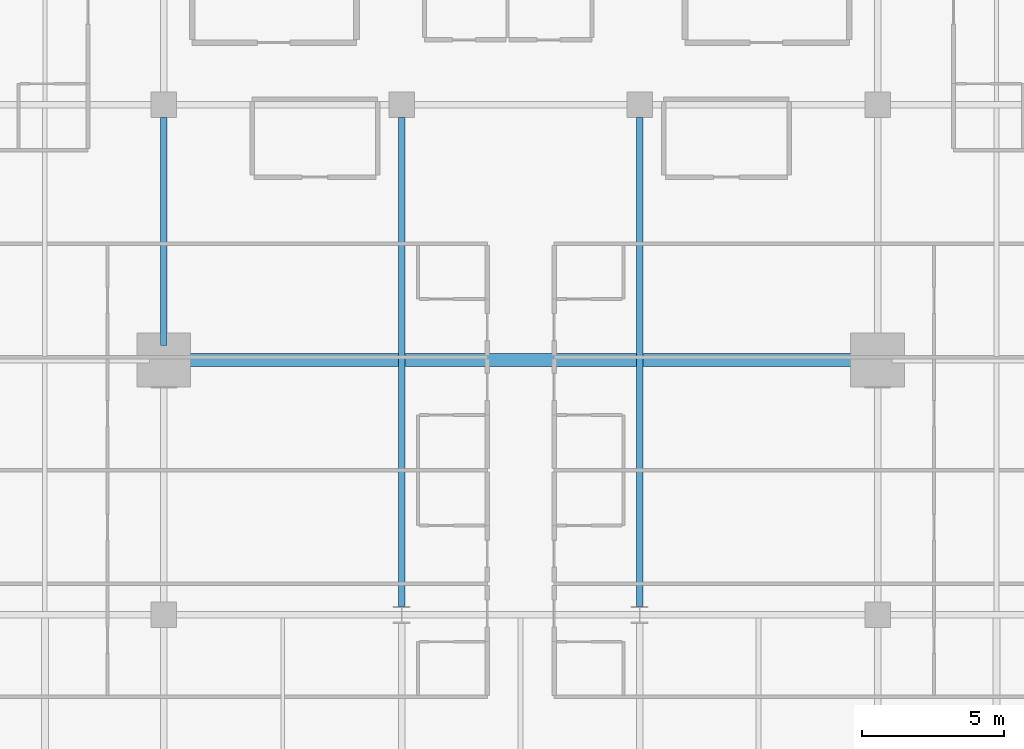
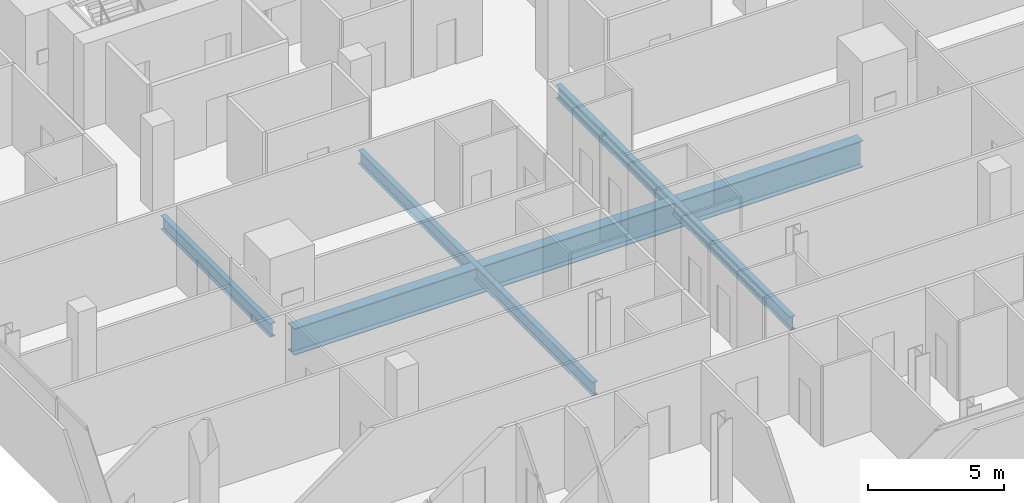
# One storey, part 11 of 34: 4 beams.
"""IFC4 building model written with IfcOpenShell, lengths in metres."""

from ifc_helpers import new_model, si_unit, direction, frame, origin, origin_2d, place, context, subcontext, project, spatial, i_section, extrude, material, material_profile, profile_set, type_object, element, save


model = new_model("IFC4")

# Units and contexts
model_context = context("Model", 3, precision=1e-05, world=origin(), true_north=direction((0.0, 1.0)))
body_context = subcontext(model_context, "Body", "Model", "MODEL_VIEW")
ifc_project = project(units=[si_unit("LENGTHUNIT", "METRE"), si_unit("AREAUNIT", "SQUARE_METRE"), si_unit("VOLUMEUNIT", "CUBIC_METRE"), si_unit("PLANEANGLEUNIT", "RADIAN"), si_unit("MASSUNIT", "GRAM", prefix="KILO")], contexts=[model_context])

# Site, building, storey
site_placement = place(None, origin())
site = spatial("IfcSite", under=ifc_project, at=site_placement, CompositionType="ELEMENT")
building_placement = place(site_placement, origin())
building = spatial("IfcBuilding", under=site, at=building_placement, Name="Maruvema Waterfront Hotel and Observation Tower", CompositionType="ELEMENT")
storey_placement = place(building_placement, frame((0.0, 0.0, 135.10009765625)))
storey = spatial("IfcBuildingStorey", under=building, at=storey_placement, Name="L32", CompositionType="ELEMENT", Elevation=135.10009765625)

# Beams
ifc_material_1 = material(Name="Steel ASTM A572 Grade 50", Category="steel")
ifc_material_profile_1 = material_profile(ifc_material_1, i_section(OverallWidth=0.22900390625, OverallDepth=0.612060546875, WebThickness=0.011962890625, FlangeThickness=0.01953125, FilletRadius=0.01806640625, at=origin_2d()), Name="W610x125.0")
ifc_profile_set_1 = profile_set([ifc_material_profile_1], Name="Steel ASTM A572 Grade 50")
beam_type_1 = type_object("IfcBeamType", Name="Primary Floor Girder W610x125.0", PredefinedType="BEAM", material=ifc_profile_set_1)
beam_1_placement = place(storey_placement, frame((25.199951171875, 27.5, -0.546142578125), z_axis=(0.0, 1.0, 0.0), x_axis=(-1.0, 0.0, 0.0)))
element("IfcBeam", 1, at=beam_1_placement, inside=storey, type_object=beam_type_1, Name="L32 Floor Girder NS-12", PredefinedType="BEAM", context=body_context, shape_type="SweptSolid", body=[
    extrude(i_section(OverallWidth=0.22900390625, OverallDepth=0.612060546875, WebThickness=0.011962890625, FlangeThickness=0.01953125, FilletRadius=0.01806640625, at=origin_2d()), origin(), (0.0, 0.0, 1.0), 8.050048828125),
])
for number, where, z_axis, x_axis, name in (
    (2, (33.60009765625, 18.300048828125, -0.546142578125), (0.0, 1.0, 0.0), (-1.0, 0.0, 0.0), "L32 Floor Girder NS-16"),
    (3, (42.0, 18.300048828125, -0.546142578125), (0.0, 1.0, 0.0), (-1.0, 0.0, 0.0), "L32 Floor Girder NS-19"),
):
    element("IfcBeam", number, at=place(storey_placement, frame(where, z_axis=z_axis, x_axis=x_axis)), inside=storey, type_object=beam_type_1, Name=name, PredefinedType="BEAM", context=body_context, shape_type="SweptSolid", body=[
        extrude(i_section(OverallWidth=0.22900390625, OverallDepth=0.612060546875, WebThickness=0.011962890625, FlangeThickness=0.01953125, FilletRadius=0.01806640625, at=origin_2d()), origin(), (0.0, 0.0, 1.0), 17.25),
    ])
ifc_material_2 = material(Name="Steel ABNT NBR 7007 AR 415 (ASTM A572 Grade 50)", Category="steel")
ifc_material_profile_2 = material_profile(ifc_material_2, i_section(OverallWidth=0.449951171875, OverallDepth=1.199951171875, WebThickness=0.01904296875, FlangeThickness=0.031982421875, at=origin_2d()), Name="VS1200x366")
ifc_profile_set_2 = profile_set([ifc_material_profile_2], Name="Steel ABNT NBR 7007 AR 415 (ASTM A572 Grade 50)")
beam_type_2 = type_object("IfcBeamType", Name="Upper Setback Transfer Girder VS1200x366", PredefinedType="USERDEFINED", material=ifc_profile_set_2)
beam_2_placement = place(storey_placement, frame((25.699951171875, 27.0, -0.840087890625), z_axis=(1.0, 0.0, 0.0), x_axis=(0.0, 1.0, 0.0)))
element("IfcBeam", 4, at=beam_2_placement, inside=storey, type_object=beam_type_2, Name="L32 Floor Girder EW-20", ObjectType="TRANSFER GIRDER", PredefinedType="USERDEFINED", context=body_context, shape_type="SweptSolid", body=[
    extrude(i_section(OverallWidth=0.449951171875, OverallDepth=1.199951171875, WebThickness=0.01904296875, FlangeThickness=0.031982421875, at=origin_2d()), origin(), (0.0, 0.0, 1.0), 24.199951171875),
])

save(model, "model.ifc")
